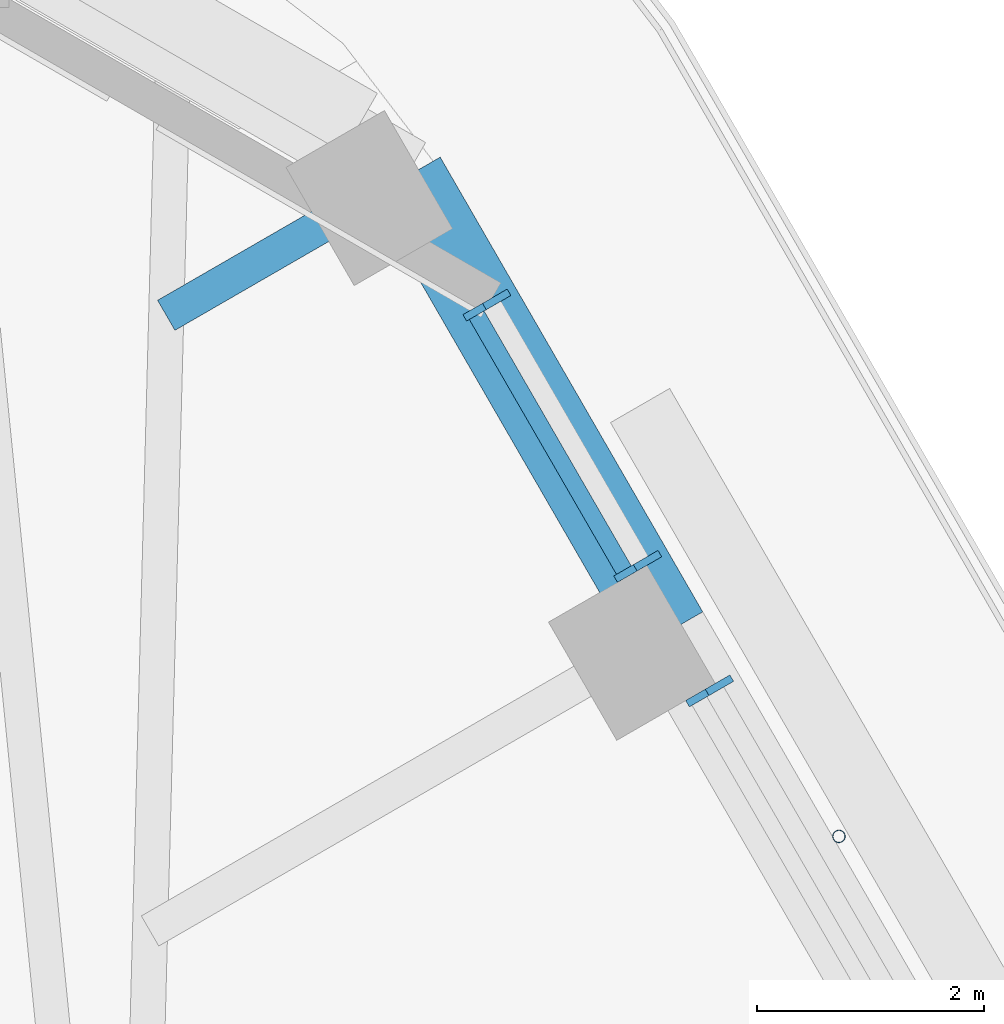
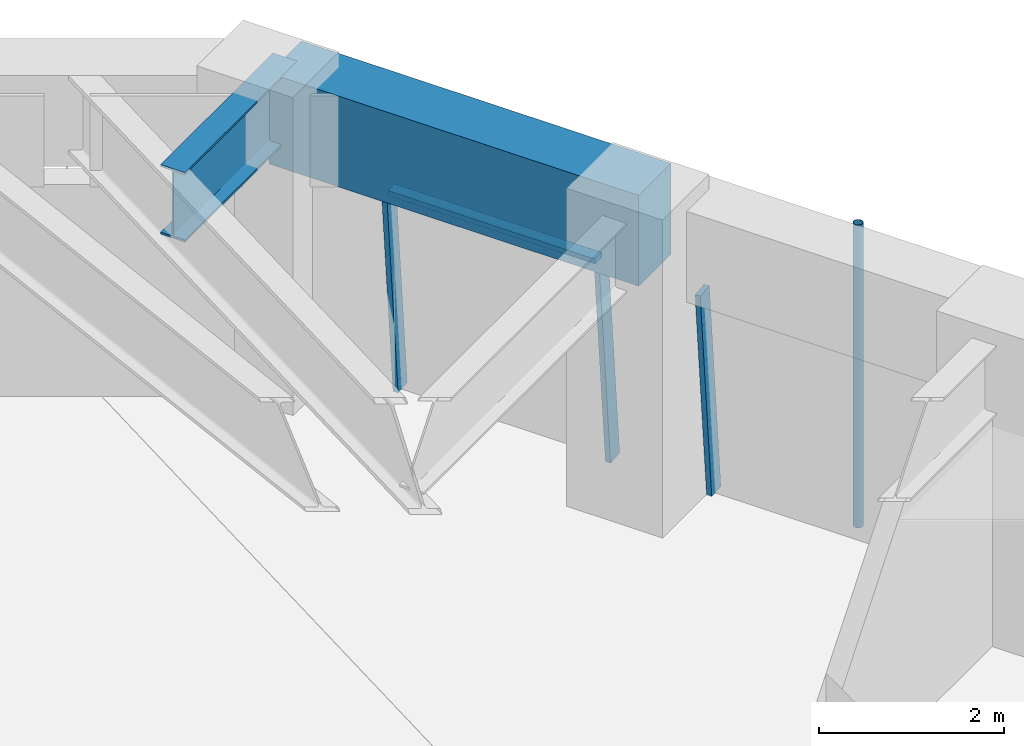
# One storey, part 12 of 20: 5 members, 2 beams, 2 elements without a shape of their own.
"""IFC4 building model written with IfcOpenShell, lengths in metres."""

from ifc_helpers import new_model, si_unit, direction, frame, origin, origin_2d, place, context, subcontext, project, spatial, rectangle, hollow_circle, i_section, extrude, material, material_profile, profile_set, type_object, element, aggregate, save


model = new_model("IFC4")

# Units and contexts
model_context = context("Model", 3, precision=1e-05, world=origin(), true_north=direction((0.0, 1.0)))
body_context = subcontext(model_context, "Body", "Model", "MODEL_VIEW")
ifc_project = project(units=[si_unit("LENGTHUNIT", "METRE"), si_unit("AREAUNIT", "SQUARE_METRE"), si_unit("VOLUMEUNIT", "CUBIC_METRE"), si_unit("PLANEANGLEUNIT", "RADIAN"), si_unit("MASSUNIT", "GRAM", prefix="KILO")], contexts=[model_context])

# Site, building, storey
site_placement = place(None, origin())
site = spatial("IfcSite", under=ifc_project, at=site_placement, CompositionType="ELEMENT")
building_placement = place(site_placement, origin())
building = spatial("IfcBuilding", under=site, at=building_placement, Name="Tarfa Lantern Tower", CompositionType="ELEMENT")
storey_placement = place(building_placement, frame((0.0, 0.0, 270.10009765625)))
storey = spatial("IfcBuildingStorey", under=building, at=storey_placement, Name="L61", CompositionType="ELEMENT", Elevation=270.10009765625)

# Curtain wall, member
ifc_material_1 = material(Name="Aluminium framed curtain wall", Category="aluminium")
curtain_wall_type = type_object("IfcCurtainWallType", Name="CW3 CANTED GLAZING HIGH ZONE 2800", PredefinedType="USERDEFINED", material=ifc_material_1)
curtain_wall_1_placement = place(storey_placement, origin())
curtain_wall_1 = element("IfcCurtainWall", 1, at=curtain_wall_1_placement, inside=storey, type_object=curtain_wall_type, Name="CW3 NE L61", ObjectType="CURTAIN WALL", PredefinedType="USERDEFINED")
ifc_material_2 = material(Name="Aluminium mullion", Category="aluminium")
ifc_material_profile_1 = material_profile(ifc_material_2, rectangle(XDim=0.06494140625, YDim=0.199951171875, at=origin_2d()), Name="AL MULLION 65x200")
ifc_profile_set_1 = profile_set([ifc_material_profile_1], Name="Aluminium mullion")
member_type_1 = type_object("IfcMemberType", Name="CWM1 MULLION 65x200", PredefinedType="MULLION", material=ifc_profile_set_1)
member_1_placement = place(storey_placement, frame((20.7255859375, 21.90234375, 0.0), z_axis=(-0.077039050765, -0.044468989844, 0.996035889715), x_axis=(0.499919672301, -0.866071776036, 0.0)))
member_1 = element("IfcMember", 2, at=member_1_placement, type_object=member_type_1, Name="CW3 mullion 2", PredefinedType="MULLION", context=body_context, shape_type="SweptSolid", body=[
    extrude(rectangle(XDim=0.06494140625, YDim=0.199951171875, at=origin_2d()), origin(), (0.0, 0.0, 1.0), 2.81103515625),
])
aggregate(curtain_wall_1, [member_1])

# Curtain wall, members
curtain_wall_2_placement = place(storey_placement, origin())
curtain_wall_2 = element("IfcCurtainWall", 3, at=curtain_wall_2_placement, inside=storey, type_object=curtain_wall_type, Name="CW3 NE L61", ObjectType="CURTAIN WALL", PredefinedType="USERDEFINED")
member_2_placement = place(storey_placement, frame((20.093017578125, 22.997802734375, 0.0), z_axis=(-0.077039050765, -0.044468989844, 0.996035889715), x_axis=(0.499919672301, -0.866071776036, 0.0)))
member_2 = element("IfcMember", 4, at=member_2_placement, type_object=member_type_1, Name="CW3 mullion 1", PredefinedType="MULLION", context=body_context, shape_type="SweptSolid", body=[
    extrude(rectangle(XDim=0.06494140625, YDim=0.199951171875, at=origin_2d()), origin(), (0.0, 0.0, 1.0), 2.81103515625),
])
member_3_placement = place(storey_placement, frame((18.76611328125, 25.296142578125, 0.0), z_axis=(-0.077039050765, -0.044468989844, 0.996035889715), x_axis=(0.499919672301, -0.866071776036, 0.0)))
member_3 = element("IfcMember", 5, at=member_3_placement, type_object=member_type_1, Name="CW3 mullion 2", PredefinedType="MULLION", context=body_context, shape_type="SweptSolid", body=[
    extrude(rectangle(XDim=0.06494140625, YDim=0.199951171875, at=origin_2d()), origin(), (0.0, 0.0, 1.0), 2.81103515625),
])
ifc_material_3 = material(Name="Aluminium transom", Category="aluminium")
ifc_material_profile_2 = material_profile(ifc_material_3, rectangle(XDim=0.14990234375, YDim=0.06494140625, at=origin_2d()), Name="AL TRANSOM 150x65")
ifc_profile_set_2 = profile_set([ifc_material_profile_2], Name="Aluminium transom")
member_type_2 = type_object("IfcMemberType", Name="CWT1 TRANSOM 150x65", PredefinedType="USERDEFINED", material=ifc_profile_set_2)
member_4_placement = place(storey_placement, frame((19.86279296875, 22.90234375, 2.767333984375), z_axis=(-0.5000136139, 0.866017543653, 0.0), x_axis=(-0.866017543653, -0.5000136139, 0.0)))
member_4 = element("IfcMember", 6, at=member_4_placement, type_object=member_type_2, Name="CW3 transom 1.2", ObjectType="TRANSOM", PredefinedType="USERDEFINED", context=body_context, shape_type="SweptSolid", body=[
    extrude(rectangle(XDim=0.14990234375, YDim=0.06494140625, at=origin_2d()), origin(), (0.0, 0.0, 1.0), 2.5888671875),
])
aggregate(curtain_wall_2, [member_2, member_3, member_4])

# Beam
ifc_material_4 = material(Name="Concrete C80/95", Category="concrete")
ifc_material_profile_3 = material_profile(ifc_material_4, rectangle(XDim=0.699951171875, YDim=1.199951171875, at=origin_2d()), Name="RC 700x1200")
ifc_profile_set_3 = profile_set([ifc_material_profile_3], Name="Concrete C80/95")
beam_type_1 = type_object("IfcBeamType", Name="EB3 RC 700x1200", PredefinedType="SPANDREL", material=ifc_profile_set_3)
beam_1_placement = place(storey_placement, frame((20.25341796875, 22.360107421875, 3.39990234375), z_axis=(-0.499987836815, 0.866032426089, 0.0), x_axis=(-0.866032426089, -0.499987836815, 0.0)))
element("IfcBeam", 7, at=beam_1_placement, inside=storey, type_object=beam_type_1, Name="Edge beam NE5", PredefinedType="SPANDREL", context=body_context, shape_type="SweptSolid", body=[
    extrude(rectangle(XDim=0.699951171875, YDim=1.199951171875, at=origin_2d()), origin(), (0.0, 0.0, 1.0), 4.61865234375),
])

# Member
ifc_material_5 = material(Name="Steel S355", Category="steel")
ifc_material_profile_4 = material_profile(ifc_material_5, hollow_circle(Radius=0.05712890625, WallThickness=0.00634765625, at=origin_2d()), Name="CHS114.3x6.3")
ifc_profile_set_4 = profile_set([ifc_material_profile_4], Name="Steel S355")
member_type_3 = type_object("IfcMemberType", Name="TR1 GREEN WALL TRELLIS CHS114.3x6.3", PredefinedType="USERDEFINED", material=ifc_profile_set_4)
member_5_placement = place(storey_placement, frame((21.754638671875, 20.56005859375, 0.0), z_axis=(0.0, 0.0, 1.0), x_axis=(1.0, 0.0, 0.0)))
element("IfcMember", 8, at=member_5_placement, inside=storey, type_object=member_type_3, Name="Trellis post NE 2", ObjectType="TRELLIS", PredefinedType="USERDEFINED", context=body_context, shape_type="SweptSolid", body=[
    extrude(hollow_circle(Radius=0.05712890625, WallThickness=0.00634765625, at=origin_2d()), origin(), (0.0, 0.0, 1.0), 4.0),
])

# Beam
ifc_material_6 = material(Name="Steel S460M", Category="steel")
ifc_material_profile_5 = material_profile(ifc_material_6, i_section(OverallWidth=0.305419921875, OverallDepth=0.91845703125, WebThickness=0.017333984375, FlangeThickness=0.02783203125, FilletRadius=0.01904296875, at=origin_2d()), Name="UB914x305x253")
ifc_profile_set_5 = profile_set([ifc_material_profile_5], Name="Steel S460M")
beam_type_2 = type_object("IfcBeamType", Name="UB914x305x253", PredefinedType="BEAM", material=ifc_profile_set_5)
beam_2_placement = place(storey_placement, frame((17.944091796875, 26.360107421875, 3.540771484375), z_axis=(-0.865980009423, -0.5000786171, 0.0), x_axis=(0.5000786171, -0.865980009423, 0.0)))
element("IfcBeam", 9, at=beam_2_placement, inside=storey, type_object=beam_type_2, Name="Floor beam NE6", PredefinedType="BEAM", context=body_context, shape_type="SweptSolid", body=[
    extrude(i_section(OverallWidth=0.305419921875, OverallDepth=0.91845703125, WebThickness=0.017333984375, FlangeThickness=0.02783203125, FilletRadius=0.01904296875, at=origin_2d()), origin(), (0.0, 0.0, 1.0), 2.4326171875),
])

save(model, "model.ifc")
